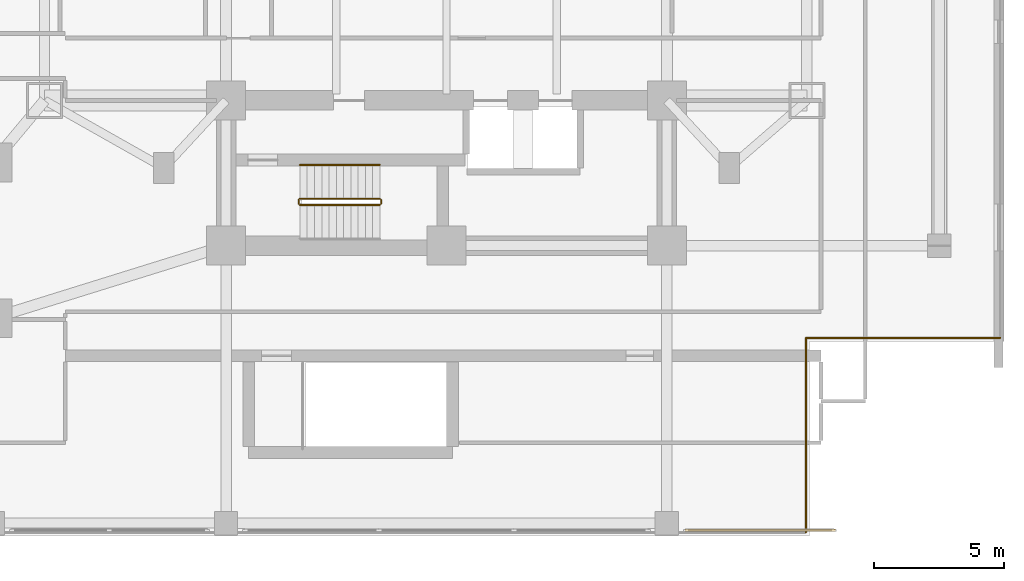
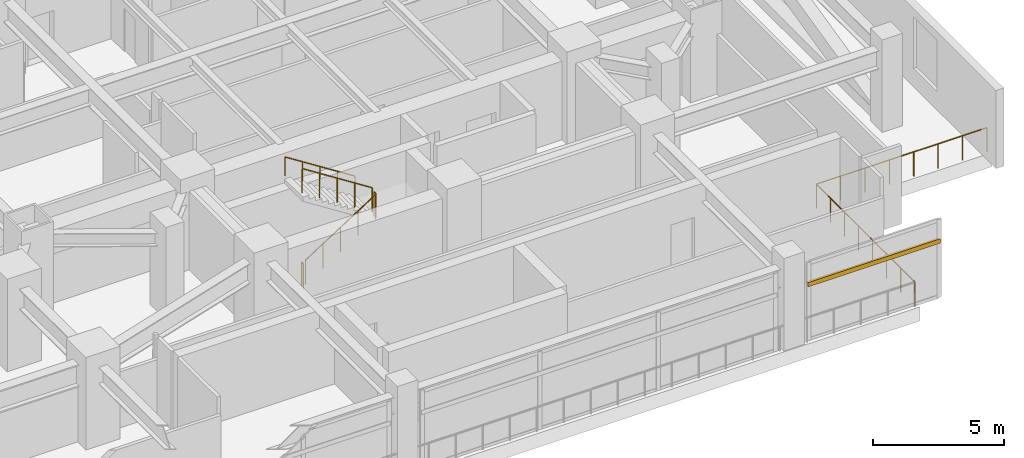
# One storey, part 25 of 27: 7 railings, 1 shading device.
"""IFC4 building model written with IfcOpenShell, lengths in metres."""

from ifc_helpers import new_model, si_unit, direction, frame, origin, origin_2d, place, context, subcontext, project, spatial, rectangle, circle, extrude, material, material_profile, profile_set, type_object, element, save


model = new_model("IFC4")

# Units and contexts
model_context = context("Model", 3, precision=1e-05, world=origin(), true_north=direction((0.0, 1.0)))
body_context = subcontext(model_context, "Body", "Model", "MODEL_VIEW")
ifc_project = project(units=[si_unit("LENGTHUNIT", "METRE"), si_unit("AREAUNIT", "SQUARE_METRE"), si_unit("VOLUMEUNIT", "CUBIC_METRE"), si_unit("PLANEANGLEUNIT", "RADIAN"), si_unit("MASSUNIT", "GRAM", prefix="KILO")], contexts=[model_context])

# Site, building, storey
site_placement = place(None, origin())
site = spatial("IfcSite", under=ifc_project, at=site_placement, CompositionType="ELEMENT")
building_placement = place(site_placement, origin())
building = spatial("IfcBuilding", under=site, at=building_placement, Name="Mirazonda Arch Towers", CompositionType="ELEMENT")
storey_placement = place(building_placement, frame((0.0, 0.0, 18.10009765625)))
storey = spatial("IfcBuildingStorey", under=building, at=storey_placement, Name="L04", CompositionType="ELEMENT", Elevation=18.10009765625)

# Shading device
ifc_material_1 = material(Name="Kiln-Fired Architectural Terracotta", Category="masonry")
ifc_material_profile = material_profile(ifc_material_1, rectangle(XDim=0.10009765625, YDim=0.199951171875, at=origin_2d()), Name="TERRA-BAG-100x200")
ifc_profile_set = profile_set([ifc_material_profile], Name="Kiln-Fired Architectural Terracotta")
shading_device_type = type_object("IfcShadingDeviceType", Name="BAGUETTE-2", PredefinedType="USERDEFINED", material=ifc_profile_set)
shading_device_placement = place(storey_placement, frame((91.5, 4.219970703125, 2.613525390625), z_axis=(-1.0, 0.0, 0.0), x_axis=(0.0, -1.0, 0.0)))
element("IfcShadingDevice", 1, at=shading_device_placement, inside=storey, type_object=shading_device_type, Name="L04 Glazed Terracotta Sun-Screen Baguette CW-L04-S1-S1", ObjectType="BAGUETTE", PredefinedType="USERDEFINED", context=body_context, shape_type="SweptSolid", body=[
    extrude(rectangle(XDim=0.10009765625, YDim=0.199951171875, at=origin_2d()), origin(), (0.0, 0.0, 1.0), 5.81005859375),
])

# Railings
ifc_material_2 = material(Name="Architectural Brushed Steel S355", Category="steel")
railing_type_1 = type_object("IfcRailingType", Name="GUARD-EXT-1150", PredefinedType="GUARDRAIL", material=ifc_material_2)
railing_1_placement = place(storey_placement, frame((90.360107421875, 4.139892578125, 0.0)))
element("IfcRailing", 2, at=railing_1_placement, inside=storey, type_object=railing_type_1, Name="L04 L04 Bridged Podium Perimeter Guard 02", PredefinedType="GUARDRAIL", context=body_context, shape_type="SweptSolid", body=[
    extrude(circle(Radius=0.02392578125, at=origin_2d()), frame((0.0, 0.0, 1.1259765625), z_axis=(0.0, 1.0, 0.0), x_axis=(-1.0, 0.0, 0.0)), (0.0, 0.0, 1.0), 7.5),
    extrude(circle(Radius=0.02099609375, at=origin_2d()), origin(), (0.0, 0.0, 1.0), 1.101806640625),
    extrude(circle(Radius=0.02099609375, at=origin_2d()), frame((0.0, 1.071533203125, 0.0)), (0.0, 0.0, 1.0), 1.101806640625),
    extrude(circle(Radius=0.02099609375, at=origin_2d()), frame((0.0, 2.142822265625, 0.0)), (0.0, 0.0, 1.0), 1.101806640625),
    extrude(circle(Radius=0.02099609375, at=origin_2d()), frame((0.0, 3.21435546875, 0.0)), (0.0, 0.0, 1.0), 1.101806640625),
    extrude(circle(Radius=0.02099609375, at=origin_2d()), frame((0.0, 4.28564453125, 0.0)), (0.0, 0.0, 1.0), 1.101806640625),
    extrude(circle(Radius=0.02099609375, at=origin_2d()), frame((0.0, 5.357177734375, 0.0)), (0.0, 0.0, 1.0), 1.101806640625),
    extrude(circle(Radius=0.02099609375, at=origin_2d()), frame((0.0, 6.428466796875, 0.0)), (0.0, 0.0, 1.0), 1.101806640625),
    extrude(circle(Radius=0.02099609375, at=origin_2d()), frame((0.0, 7.5, 0.0)), (0.0, 0.0, 1.0), 1.101806640625),
])
railing_2_placement = place(storey_placement, frame((90.360107421875, 11.639892578125, 0.0)))
element("IfcRailing", 3, at=railing_2_placement, inside=storey, type_object=railing_type_1, Name="L04 L04 Bridged Podium Perimeter Guard 03", PredefinedType="GUARDRAIL", context=body_context, shape_type="SweptSolid", body=[
    extrude(circle(Radius=0.02392578125, at=origin_2d()), frame((0.0, 0.0, 1.1259765625), z_axis=(1.0, 0.0, 0.0), x_axis=(0.0, 1.0, 0.0)), (0.0, 0.0, 1.0), 7.5),
    extrude(circle(Radius=0.02099609375, at=origin_2d()), origin(), (0.0, 0.0, 1.0), 1.101806640625),
    extrude(circle(Radius=0.02099609375, at=origin_2d()), frame((1.071533203125, 0.0, 0.0)), (0.0, 0.0, 1.0), 1.101806640625),
    extrude(circle(Radius=0.02099609375, at=origin_2d()), frame((2.142822265625, 0.0, 0.0)), (0.0, 0.0, 1.0), 1.101806640625),
    extrude(circle(Radius=0.02099609375, at=origin_2d()), frame((3.21435546875, 0.0, 0.0)), (0.0, 0.0, 1.0), 1.101806640625),
    extrude(circle(Radius=0.02099609375, at=origin_2d()), frame((4.28564453125, 0.0, 0.0)), (0.0, 0.0, 1.0), 1.101806640625),
    extrude(circle(Radius=0.02099609375, at=origin_2d()), frame((5.357177734375, 0.0, 0.0)), (0.0, 0.0, 1.0), 1.101806640625),
    extrude(circle(Radius=0.02099609375, at=origin_2d()), frame((6.428466796875, 0.0, 0.0)), (0.0, 0.0, 1.0), 1.101806640625),
    extrude(circle(Radius=0.02099609375, at=origin_2d()), frame((7.5, 0.0, 0.0)), (0.0, 0.0, 1.0), 1.101806640625),
])
railing_type_2 = type_object("IfcRailingType", Name="GUARD-STAIR-1120", PredefinedType="GUARDRAIL", material=ifc_material_2)
railing_3_placement = place(storey_placement, frame((70.85009765625, 16.77001953125, 0.178955078125)))
element("IfcRailing", 4, at=railing_3_placement, inside=storey, type_object=railing_type_2, Name="L04 ST-T2S stair guard 1", PredefinedType="GUARDRAIL", context=body_context, shape_type="SweptSolid", body=[
    extrude(circle(Radius=0.02392578125, at=origin_2d()), frame((0.0, 0.0, 1.1259765625), z_axis=(0.842289589211, 0.0, 0.539025275759), x_axis=(0.0, 1.0, 0.0)), (0.0, 0.0, 1.0), 3.656494140625),
    extrude(circle(Radius=0.02099609375, at=origin_2d()), origin(), (0.0, 0.0, 1.0), 1.101806640625),
    extrude(circle(Radius=0.02099609375, at=origin_2d()), frame((0.77001953125, 0.0, 0.49267578125)), (0.0, 0.0, 1.0), 1.101806640625),
    extrude(circle(Radius=0.02099609375, at=origin_2d()), frame((1.5400390625, 0.0, 0.9853515625)), (0.0, 0.0, 1.0), 1.101806640625),
    extrude(circle(Radius=0.02099609375, at=origin_2d()), frame((2.309814453125, 0.0, 1.478271484375)), (0.0, 0.0, 1.0), 1.101806640625),
    extrude(circle(Radius=0.02099609375, at=origin_2d()), frame((3.079833984375, 0.0, 1.970947265625)), (0.0, 0.0, 1.0), 1.101806640625),
])
railing_4_placement = place(storey_placement, frame((73.97998046875, 16.820068359375, 2.14990234375)))
element("IfcRailing", 5, at=railing_4_placement, inside=storey, type_object=railing_type_2, Name="L04 ST-T2S stair guard 2", PredefinedType="GUARDRAIL", context=body_context, shape_type="SweptSolid", body=[
    extrude(circle(Radius=0.02392578125, at=origin_2d()), frame((0.0, 0.0, 1.1259765625), z_axis=(0.0, 1.0, 0.0), x_axis=(-1.0, 0.0, 0.0)), (0.0, 0.0, 1.0), 0.139892578125),
    extrude(circle(Radius=0.02099609375, at=origin_2d()), origin(), (0.0, 0.0, 1.0), 1.101806640625),
    extrude(circle(Radius=0.02099609375, at=origin_2d()), frame((0.0, 0.139892578125, 0.0)), (0.0, 0.0, 1.0), 1.101806640625),
])
railing_5_placement = place(storey_placement, frame((73.929931640625, 17.010009765625, 2.3291015625)))
element("IfcRailing", 6, at=railing_5_placement, inside=storey, type_object=railing_type_2, Name="L04 ST-T2S stair guard 3", PredefinedType="GUARDRAIL", context=body_context, shape_type="SweptSolid", body=[
    extrude(circle(Radius=0.02392578125, at=origin_2d()), frame((0.0, 0.0, 1.1259765625), z_axis=(-0.842319903074, 0.0, 0.538977903893), x_axis=(0.0, -1.0, 0.0)), (0.0, 0.0, 1.0), 3.65625),
    extrude(circle(Radius=0.02099609375, at=origin_2d()), origin(), (0.0, 0.0, 1.0), 1.101806640625),
    extrude(circle(Radius=0.02099609375, at=origin_2d()), frame((-0.77001953125, 0.0, 0.49267578125)), (0.0, 0.0, 1.0), 1.101806640625),
    extrude(circle(Radius=0.02099609375, at=origin_2d()), frame((-1.5400390625, 0.0, 0.9853515625)), (0.0, 0.0, 1.0), 1.101806640625),
    extrude(circle(Radius=0.02099609375, at=origin_2d()), frame((-2.309814453125, 0.0, 1.47802734375)), (0.0, 0.0, 1.0), 1.101806640625),
    extrude(circle(Radius=0.02099609375, at=origin_2d()), frame((-3.079833984375, 0.0, 1.970703125)), (0.0, 0.0, 1.0), 1.101806640625),
])
railing_6_placement = place(storey_placement, frame((70.800048828125, 16.820068359375, 0.0)))
element("IfcRailing", 7, at=railing_6_placement, inside=storey, type_object=railing_type_2, Name="L04 ST-T2S stair guard 4", PredefinedType="GUARDRAIL", context=body_context, shape_type="SweptSolid", body=[
    extrude(circle(Radius=0.02392578125, at=origin_2d()), frame((0.0, 0.0, 1.1259765625), z_axis=(0.0, 1.0, 0.0), x_axis=(-1.0, 0.0, 0.0)), (0.0, 0.0, 1.0), 0.139892578125),
    extrude(circle(Radius=0.02099609375, at=origin_2d()), origin(), (0.0, 0.0, 1.0), 1.101806640625),
    extrude(circle(Radius=0.02099609375, at=origin_2d()), frame((0.0, 0.139892578125, 0.0)), (0.0, 0.0, 1.0), 1.101806640625),
])
railing_type_3 = type_object("IfcRailingType", Name="HANDRAIL-915", PredefinedType="HANDRAIL", material=ifc_material_2)
railing_7_placement = place(storey_placement, frame((73.929931640625, 18.31005859375, 2.3291015625)))
element("IfcRailing", 8, at=railing_7_placement, inside=storey, type_object=railing_type_3, Name="L04 ST-T2S stair handrail 2", PredefinedType="HANDRAIL", context=body_context, shape_type="SweptSolid", body=[
    extrude(circle(Radius=0.02392578125, at=origin_2d()), frame((0.0, 0.0, 0.8759765625), z_axis=(-0.842319903074, 0.0, 0.538977903893), x_axis=(0.0, -1.0, 0.0)), (0.0, 0.0, 1.0), 3.65625),
    extrude(circle(Radius=0.02099609375, at=origin_2d()), origin(), (0.0, 0.0, 1.0), 0.851806640625),
    extrude(circle(Radius=0.02099609375, at=origin_2d()), frame((-0.77001953125, 0.0, 0.49267578125)), (0.0, 0.0, 1.0), 0.851806640625),
    extrude(circle(Radius=0.02099609375, at=origin_2d()), frame((-1.5400390625, 0.0, 0.9853515625)), (0.0, 0.0, 1.0), 0.851806640625),
    extrude(circle(Radius=0.02099609375, at=origin_2d()), frame((-2.309814453125, 0.0, 1.47802734375)), (0.0, 0.0, 1.0), 0.851806640625),
    extrude(circle(Radius=0.02099609375, at=origin_2d()), frame((-3.079833984375, 0.0, 1.970703125)), (0.0, 0.0, 1.0), 0.851806640625),
])

save(model, "model.ifc")
